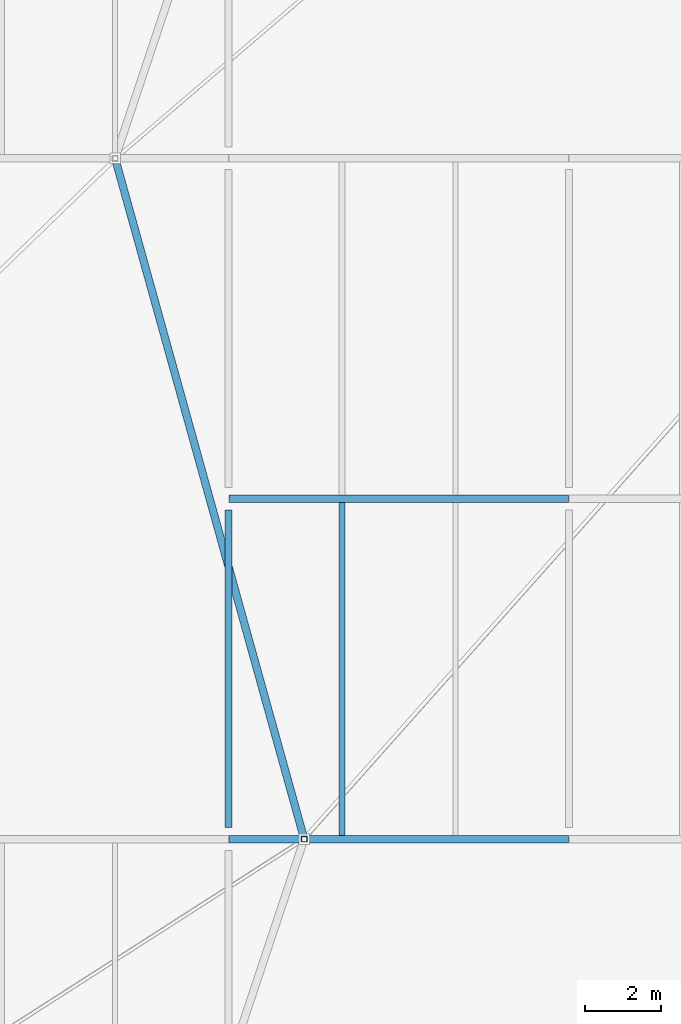
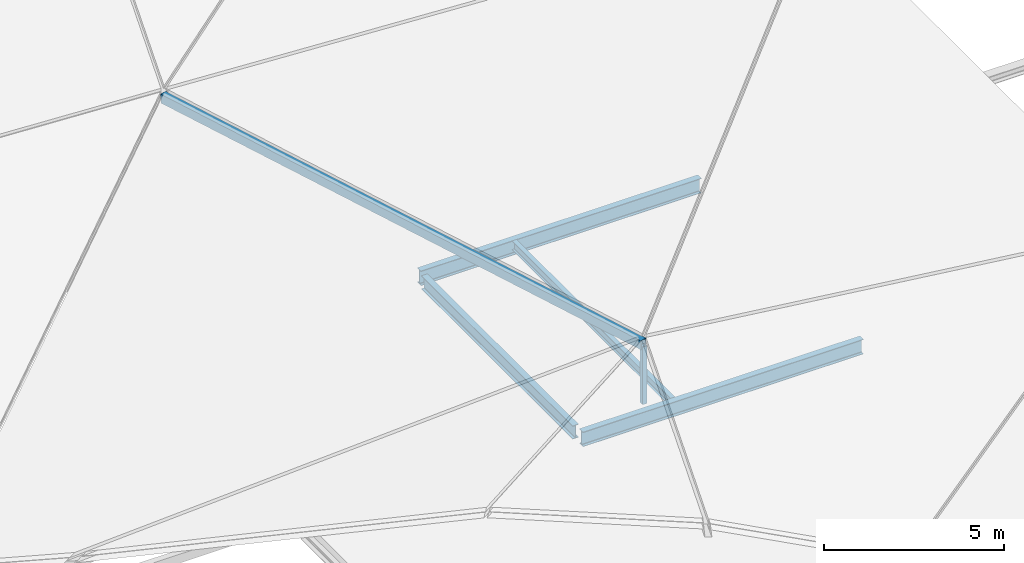
# One storey, part 5 of 18: 4 beams, 2 members.
"""IFC4 building model written with IfcOpenShell, lengths in metres."""

from ifc_helpers import new_model, si_unit, direction, frame, origin, origin_2d, place, context, subcontext, project, spatial, hollow_rectangle, i_section, extrude, material, material_profile, profile_set, type_object, element, save


model = new_model("IFC4")

# Units and contexts
model_context = context("Model", 3, precision=1e-05, world=origin(), true_north=direction((0.0, 1.0)))
body_context = subcontext(model_context, "Body", "Model", "MODEL_VIEW")
ifc_project = project(units=[si_unit("LENGTHUNIT", "METRE"), si_unit("AREAUNIT", "SQUARE_METRE"), si_unit("VOLUMEUNIT", "CUBIC_METRE"), si_unit("PLANEANGLEUNIT", "RADIAN"), si_unit("MASSUNIT", "GRAM", prefix="KILO")], contexts=[model_context])

# Site, building, storey
site_placement = place(None, origin())
site = spatial("IfcSite", under=ifc_project, at=site_placement, CompositionType="ELEMENT")
building_placement = place(site_placement, origin())
building = spatial("IfcBuilding", under=site, at=building_placement, Name="Deido Ridge Mobility Hub", CompositionType="ELEMENT")
storey_placement = place(building_placement, frame((0.0, 0.0, 29.39990234375)))
storey = spatial("IfcBuildingStorey", under=building, at=storey_placement, Name="RF", CompositionType="ELEMENT", Elevation=29.39990234375)

# Beams
ifc_material_1 = material(Name="Steel S355J2 EN 10025-2", Category="steel")
ifc_material_profile_1 = material_profile(ifc_material_1, i_section(OverallWidth=0.18994140625, OverallDepth=0.449951171875, WebThickness=0.009521484375, FlangeThickness=0.0146484375, FilletRadius=0.02099609375, at=origin_2d()), Name="IPE 450")
ifc_profile_set_1 = profile_set([ifc_material_profile_1], Name="Steel S355J2 EN 10025-2")
beam_type_1 = type_object("IfcBeamType", Name="BM-IPE450", PredefinedType="BEAM", material=ifc_profile_set_1)
beam_1_placement = place(storey_placement, frame((162.0, 18.300048828125, -0.46484375), z_axis=(0.0, 1.0, 0.0), x_axis=(-1.0, 0.0, 0.0)))
element("IfcBeam", 1, at=beam_1_placement, inside=storey, type_object=beam_type_1, Name="Floor beam B4", PredefinedType="BEAM", context=body_context, shape_type="SweptSolid", body=[
    extrude(i_section(OverallWidth=0.18994140625, OverallDepth=0.449951171875, WebThickness=0.009521484375, FlangeThickness=0.0146484375, FilletRadius=0.02099609375, at=origin_2d()), origin(), (0.0, 0.0, 1.0), 8.39990234375),
])
ifc_material_profile_2 = material_profile(ifc_material_1, i_section(OverallWidth=0.199951171875, OverallDepth=0.5, WebThickness=0.01025390625, FlangeThickness=0.01611328125, FilletRadius=0.02099609375, at=origin_2d()), Name="IPE 500")
ifc_profile_set_2 = profile_set([ifc_material_profile_2], Name="Steel S355J2 EN 10025-2")
beam_type_2 = type_object("IfcBeamType", Name="BM-IPE500", PredefinedType="BEAM", material=ifc_profile_set_2)
for number, where, z_axis, x_axis, name in (
    (2, (162.0078125, 18.0, -0.489990234375), (1.0, 0.0, 0.0), (0.0, 1.0, 0.0), "Floor beam B3"),
    (3, (162.0078125, 27.0, -0.489990234375), (1.0, 0.0, 0.0), (0.0, 1.0, 0.0), "Floor beam B3"),
):
    element("IfcBeam", number, at=place(storey_placement, frame(where, z_axis=z_axis, x_axis=x_axis)), inside=storey, type_object=beam_type_2, Name=name, PredefinedType="BEAM", context=body_context, shape_type="SweptSolid", body=[
        extrude(i_section(OverallWidth=0.199951171875, OverallDepth=0.5, WebThickness=0.01025390625, FlangeThickness=0.01611328125, FilletRadius=0.02099609375, at=origin_2d()), origin(), (0.0, 0.0, 1.0), 8.984375),
    ])
ifc_material_profile_3 = material_profile(ifc_material_1, i_section(OverallWidth=0.14990234375, OverallDepth=0.300048828125, WebThickness=0.007080078125, FlangeThickness=0.0107421875, FilletRadius=0.014892578125, at=origin_2d()), Name="IPE 300")
ifc_profile_set_3 = profile_set([ifc_material_profile_3], Name="Steel S355J2 EN 10025-2")
beam_type_3 = type_object("IfcBeamType", Name="JST-IPE300", PredefinedType="JOIST", material=ifc_profile_set_3)
beam_2_placement = place(storey_placement, frame((165.0, 18.10009765625, -0.389892578125), z_axis=(0.0, 1.0, 0.0), x_axis=(-1.0, 0.0, 0.0)))
element("IfcBeam", 4, at=beam_2_placement, inside=storey, type_object=beam_type_3, Name="Composite joist J3", PredefinedType="JOIST", context=body_context, shape_type="SweptSolid", body=[
    extrude(i_section(OverallWidth=0.14990234375, OverallDepth=0.300048828125, WebThickness=0.007080078125, FlangeThickness=0.0107421875, FilletRadius=0.014892578125, at=origin_2d()), origin(), (0.0, 0.0, 1.0), 8.7998046875),
])

# Members
ifc_material_2 = material(Name="Steel S355J2H EN 10210-1", Category="steel")
ifc_material_profile_4 = material_profile(ifc_material_2, hollow_rectangle(XDim=0.199951171875, YDim=0.300048828125, WallThickness=0.012451171875, at=origin_2d()), Name="RHS 300x200x12.5")
ifc_profile_set_4 = profile_set([ifc_material_profile_4], Name="Steel S355J2H EN 10210-1")
member_type_1 = type_object("IfcMemberType", Name="MEM-CHD-RHS300", PredefinedType="CHORD", material=ifc_profile_set_4)
member_1_placement = place(storey_placement, frame((164.0, 18.0, 1.989990234375), z_axis=(-0.267398916157, 0.962636098164, -0.042773381315), x_axis=(-0.96351790963, -0.267643863786, 0.0)))
element("IfcMember", 5, at=member_1_placement, inside=storey, type_object=member_type_1, Name="Crystal longitudinal ridge chord CH1", PredefinedType="CHORD", context=body_context, shape_type="SweptSolid", body=[
    extrude(hollow_rectangle(XDim=0.199951171875, YDim=0.300048828125, WallThickness=0.012451171875, at=origin_2d()), origin(), (0.0, 0.0, 1.0), 18.69873046875),
])
ifc_material_profile_5 = material_profile(ifc_material_2, hollow_rectangle(XDim=0.14990234375, YDim=0.14990234375, WallThickness=0.008056640625, at=origin_2d()), Name="SHS 150x150x8")
ifc_profile_set_5 = profile_set([ifc_material_profile_5], Name="Steel S355J2H EN 10210-1")
member_type_2 = type_object("IfcMemberType", Name="MEM-PST-SHS150", PredefinedType="POST", material=ifc_profile_set_5)
member_2_placement = place(storey_placement, frame((164.0, 18.0, 0.0), z_axis=(0.0, 0.0, 1.0), x_axis=(1.0, 0.0, 0.0)))
element("IfcMember", 6, at=member_2_placement, inside=storey, type_object=member_type_2, Name="Crystal roof ridge post PS1", PredefinedType="POST", context=body_context, shape_type="SweptSolid", body=[
    extrude(hollow_rectangle(XDim=0.14990234375, YDim=0.14990234375, WallThickness=0.008056640625, at=origin_2d()), origin(), (0.0, 0.0, 1.0), 1.9501953125),
])

save(model, "model.ifc")
